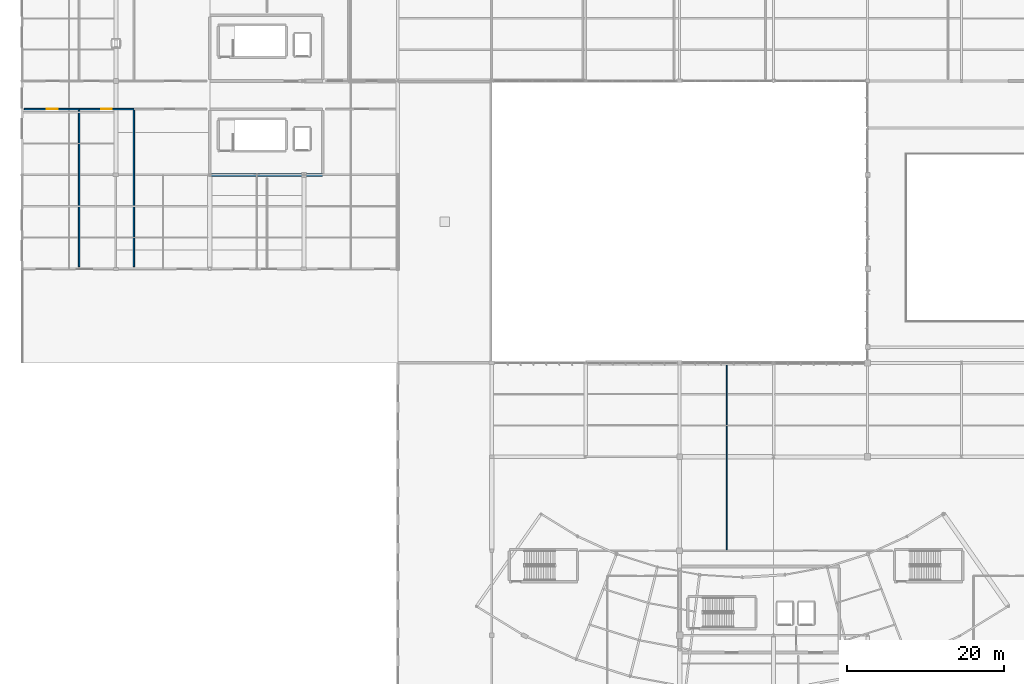
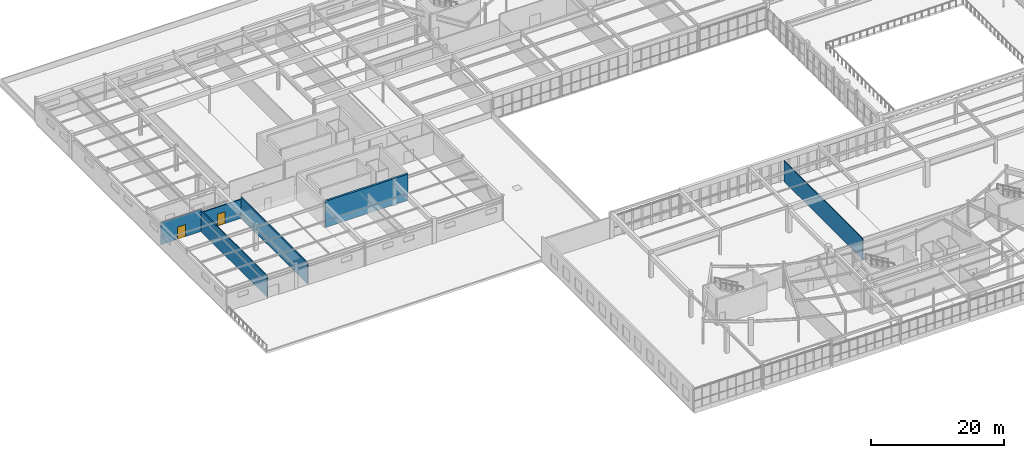
# One storey, part 157 of 186: 6 walls, 2 doors, 2 openings.
"""IFC4 building model written with IfcOpenShell, lengths in metres."""

from ifc_helpers import new_model, si_unit, direction, frame, frame_2d, origin, place, context, subcontext, project, spatial, rectangle, extrude, material, layer, layer_set, type_object, element, fill, save


model = new_model("IFC4")

# Units and contexts
model_context = context("Model", 3, precision=1e-05, world=origin(), true_north=direction((0.0, 1.0)))
body_context = subcontext(model_context, "Body", "Model", "MODEL_VIEW")
ifc_project = project(units=[si_unit("LENGTHUNIT", "METRE"), si_unit("AREAUNIT", "SQUARE_METRE"), si_unit("VOLUMEUNIT", "CUBIC_METRE"), si_unit("PLANEANGLEUNIT", "RADIAN"), si_unit("MASSUNIT", "GRAM", prefix="KILO")], contexts=[model_context])

# Site, building, storey
site_placement = place(None, origin())
site = spatial("IfcSite", under=ifc_project, at=site_placement, CompositionType="ELEMENT")
building_placement = place(site_placement, origin())
building = spatial("IfcBuilding", under=site, at=building_placement, Name="Tarnwether General Hospital", CompositionType="ELEMENT")
storey_placement = place(building_placement, frame((0.0, 0.0, 9.60009765625)))
storey = spatial("IfcBuildingStorey", under=building, at=storey_placement, Name="L02", CompositionType="ELEMENT", Elevation=9.60009765625)

# Wall
ifc_material_1 = material(Name="Gypsum plasterboard")
ifc_layer_1 = layer(ifc_material_1, 0.139892578125)
ifc_layer_set_1 = layer_set([ifc_layer_1], Name="Gypsum plasterboard")
wall_type_1 = type_object("IfcWallType", Name="WL-PT140", PredefinedType="PARTITIONING", material=ifc_layer_set_1)
wall_1_placement = place(storey_placement, frame((90.0, 21.60009765625, 0.0), z_axis=(0.0, 0.0, 1.0), x_axis=(0.0, 1.0, 0.0)))
element("IfcWall", 1, at=wall_1_placement, inside=storey, type_object=wall_type_1, Name="Interior Partition PT-L02-0276", PredefinedType="PARTITIONING", context=body_context, shape_type="SweptSolid", body=[
    extrude(rectangle(XDim=23.699951171875, YDim=0.139892578125, at=frame_2d((11.85009765625, 0.0))), origin(), (0.0, 0.0, 1.0), 3.8349609375),
])

# Wall, opening, door
ifc_material_2 = material(Name="Gypsum plasterboard")
ifc_layer_2 = layer(ifc_material_2, 0.179931640625)
ifc_layer_set_2 = layer_set([ifc_layer_2], Name="Gypsum plasterboard")
wall_type_2 = type_object("IfcWallType", Name="WL-PT180", PredefinedType="PARTITIONING", material=ifc_layer_set_2)
wall_2_placement = place(storey_placement, frame((0.300048828125, 78.0, 0.0), z_axis=(0.0, 0.0, 1.0), x_axis=(1.0, 0.0, 0.0)))
wall_2 = element("IfcWall", 2, at=wall_2_placement, inside=storey, type_object=wall_type_2, Name="Interior Partition PT-L02-0240", PredefinedType="PARTITIONING", context=body_context, shape_type="SweptSolid", body=[
    extrude(rectangle(XDim=7.0, YDim=0.179931640625, at=frame_2d((3.5, 0.0))), origin(), (0.0, 0.0, 1.0), 4.06494140625),
])
opening_1_placement = place(wall_2_placement, frame((2.85009765625, 0.0, 0.0)))
opening_1 = element("IfcOpeningElement", 3, at=opening_1_placement, cuts=wall_2, Name="Opening D-01", PredefinedType="OPENING", context=body_context, shape_type="SweptSolid", body=[
    extrude(rectangle(XDim=1.419921875, YDim=2.219970703125, at=frame_2d((0.7099609375, 1.10986328125))), frame((0.0, 0.10009765625, 0.0), z_axis=(0.0, -1.0, 0.0), x_axis=(1.0, 0.0, 0.0)), (0.0, 0.0, 1.0), 0.199951171875),
])
ifc_material_3 = material(Name="Anodised aluminium", Category="aluminium")
door_type_1 = type_object("IfcDoorType", Name="DR-IN01", OperationType="NOTDEFINED", PredefinedType="DOOR", material=ifc_material_3)
door_1_placement = place(opening_1_placement, origin())
door_1 = element("IfcDoor", 4, at=door_1_placement, inside=storey, type_object=door_type_1, Name="Interior Door DR-L02-0133", OperationType="SINGLE_SWING_LEFT", OverallHeight=2.219970703125, OverallWidth=1.419921875, PredefinedType="DOOR", context=body_context, shape_type="SweptSolid", body=[
    extrude(rectangle(XDim=1.419921875, YDim=2.219970703125, at=frame_2d((0.7099609375, 1.10986328125))), frame((0.0, 0.02490234375, 0.0), z_axis=(0.0, -1.0, 0.0), x_axis=(1.0, 0.0, 0.0)), (0.0, 0.0, 1.0), 0.050048828125),
])
fill(opening_1, door_1)

# Wall
wall_3_placement = place(storey_placement, frame((7.300048828125, 57.89990234375, 0.0), z_axis=(0.0, 0.0, 1.0), x_axis=(0.0, 1.0, 0.0)))
element("IfcWall", 5, at=wall_3_placement, inside=storey, type_object=wall_type_2, Name="Interior Partition PT-L02-0241", PredefinedType="PARTITIONING", context=body_context, shape_type="SweptSolid", body=[
    extrude(rectangle(XDim=20.10009765625, YDim=0.179931640625, at=frame_2d((10.050048828125, 0.0))), origin(), (0.0, 0.0, 1.0), 3.8818359375),
])

# Wall, opening, door
wall_4_placement = place(storey_placement, frame((7.300048828125, 78.0, 0.0), z_axis=(0.0, 0.0, 1.0), x_axis=(1.0, 0.0, 0.0)))
wall_4 = element("IfcWall", 6, at=wall_4_placement, inside=storey, type_object=wall_type_2, Name="Interior Partition PT-L02-0242", PredefinedType="PARTITIONING", context=body_context, shape_type="SweptSolid", body=[
    extrude(rectangle(XDim=7.0, YDim=0.179931640625, at=frame_2d((3.5, 0.0))), origin(), (0.0, 0.0, 1.0), 3.46484375),
])
opening_2_placement = place(wall_4_placement, frame((2.85009765625, 0.0, 0.0)))
opening_2 = element("IfcOpeningElement", 7, at=opening_2_placement, cuts=wall_4, Name="Opening D-03", PredefinedType="OPENING", context=body_context, shape_type="SweptSolid", body=[
    extrude(rectangle(XDim=1.300048828125, YDim=2.159912109375, at=frame_2d((0.64990234375, 1.080078125))), frame((0.0, 0.10009765625, 0.0), z_axis=(0.0, -1.0, 0.0), x_axis=(1.0, 0.0, 0.0)), (0.0, 0.0, 1.0), 0.199951171875),
])
ifc_material_4 = material(Name="Anodised aluminium", Category="aluminium")
door_type_2 = type_object("IfcDoorType", Name="DR-IN03", OperationType="NOTDEFINED", PredefinedType="DOOR", material=ifc_material_4)
door_2_placement = place(opening_2_placement, origin())
door_2 = element("IfcDoor", 8, at=door_2_placement, inside=storey, type_object=door_type_2, Name="Interior Door DR-L02-0134", OperationType="SINGLE_SWING_RIGHT", OverallHeight=2.159912109375, OverallWidth=1.300048828125, PredefinedType="DOOR", context=body_context, shape_type="SweptSolid", body=[
    extrude(rectangle(XDim=1.300048828125, YDim=2.159912109375, at=frame_2d((0.64990234375, 1.080078125))), frame((0.0, 0.02490234375, 0.0), z_axis=(0.0, -1.0, 0.0), x_axis=(1.0, 0.0, 0.0)), (0.0, 0.0, 1.0), 0.050048828125),
])
fill(opening_2, door_2)

# Walls
wall_5_placement = place(storey_placement, frame((14.300048828125, 57.89990234375, 0.0), z_axis=(0.0, 0.0, 1.0), x_axis=(0.0, 1.0, 0.0)))
element("IfcWall", 9, at=wall_5_placement, inside=storey, type_object=wall_type_2, Name="Interior Partition PT-L02-0243", PredefinedType="PARTITIONING", context=body_context, shape_type="SweptSolid", body=[
    extrude(rectangle(XDim=20.10009765625, YDim=0.179931640625, at=frame_2d((10.050048828125, 0.0))), origin(), (0.0, 0.0, 1.0), 3.886962890625),
])
ifc_material_5 = material(Name="Concrete 50 MPa", Category="concrete")
ifc_layer_3 = layer(ifc_material_5, 0.35009765625)
ifc_layer_set_3 = layer_set([ifc_layer_3], Name="Concrete 50 MPa")
wall_type_3 = type_object("IfcWallType", Name="WL-SW350", PredefinedType="SHEAR", material=ifc_layer_set_3)
wall_6_placement = place(storey_placement, frame((38.39990234375, 69.60009765625, 0.0), z_axis=(0.0, 0.0, 1.0), x_axis=(-1.0, 0.0, 0.0)))
element("IfcWall", 10, at=wall_6_placement, inside=storey, type_object=wall_type_3, Name="Core Shear Wall CWALL-K3-L02-S", PredefinedType="SHEAR", context=body_context, shape_type="SweptSolid", body=[
    extrude(rectangle(XDim=14.39990234375, YDim=0.35009765625, at=frame_2d((7.199951171875, 0.0))), origin(), (0.0, 0.0, 1.0), 4.7998046875),
])

save(model, "model.ifc")
